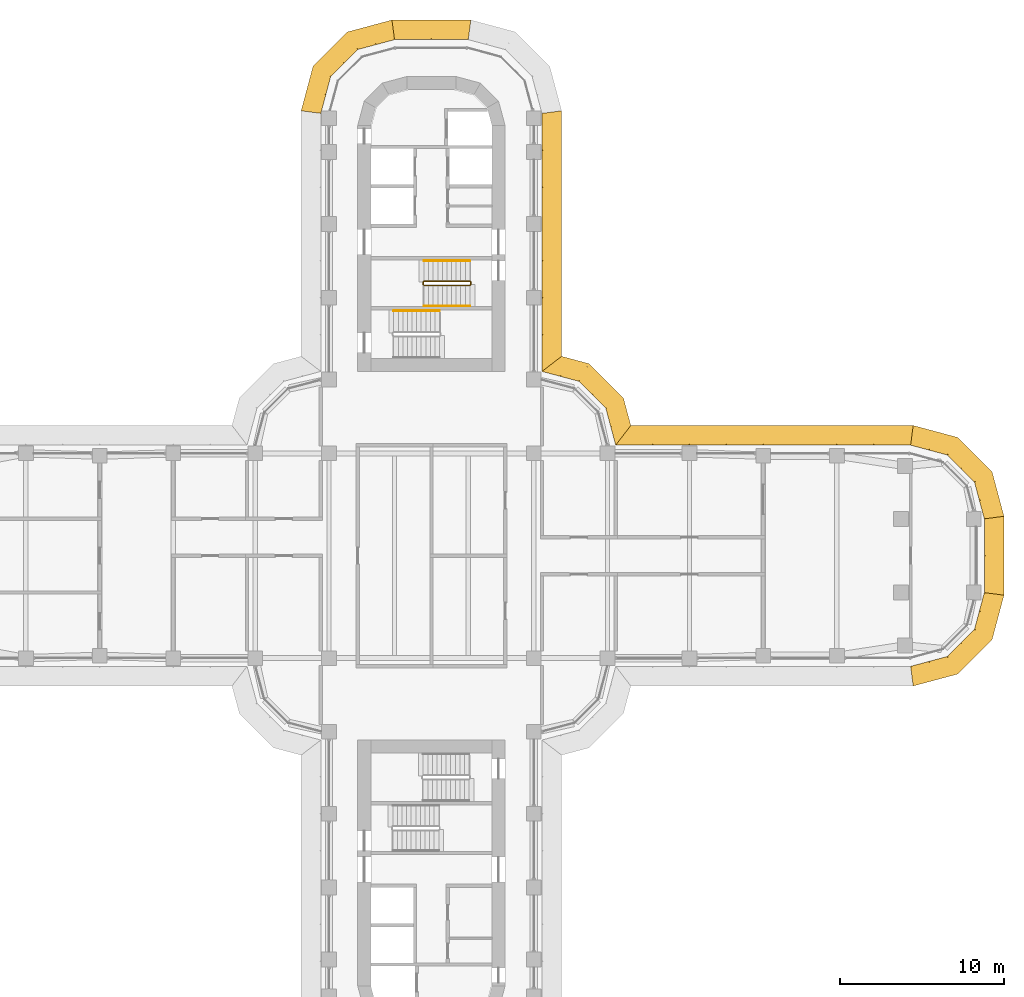
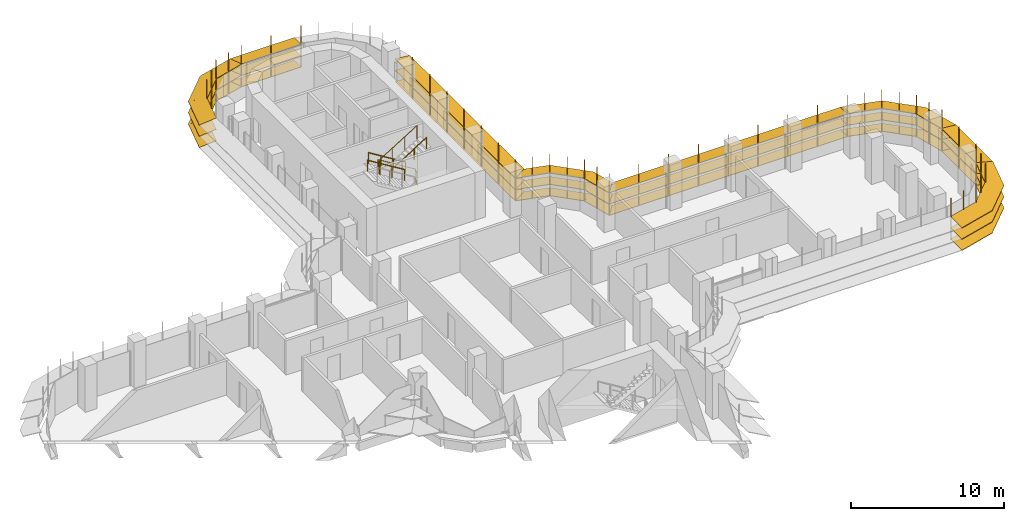
# One storey, part 21 of 22: 8 shading devices, 4 railings.
"""IFC4 building model written with IfcOpenShell, lengths in metres."""

import ifcopenshell
import ifcopenshell.guid

model = None  # the IFC model being written
_history = None  # IfcOwnerHistory: only IFC2X3 demands one
_inside = {}  # id of a spatial element -> (the spatial element, [elements in it])
_under = {}  # id of a project, library or spatial element -> (it, [spatial elements below it])
_declared = {}  # id of a project -> (the project, [libraries it declares])
_typed = {}  # id of a type object -> (the type object, [elements of that type])
_made_of = {}  # id of a material, layer set ... -> (it, [elements and type objects made of it])


def new_model(schema):
    """Start an empty IFC model of exactly this schema.

    Asked for "IFC4X3", IfcOpenShell would pick the latest addendum, in which some entities
    have other attributes; the version numbers below select the first issue.
    IFC2X3 requires an IfcOwnerHistory on every rooted entity: one is made here for all.
    """
    global model, _history
    if schema == "IFC4X3":
        model = ifcopenshell.file(schema_version=(4, 3, 0, 0))
    else:
        model = ifcopenshell.file(schema=schema)
    _inside.clear()
    _under.clear()
    _declared.clear()
    _typed.clear()
    _made_of.clear()
    _history = None
    if model.schema == "IFC2X3":
        org = make("IfcOrganization", Name="unknown")
        user = make(
            "IfcPersonAndOrganization",
            ThePerson=make("IfcPerson", FamilyName="unknown"),
            TheOrganization=org,
        )
        app = make(
            "IfcApplication",
            ApplicationDeveloper=org,
            Version="unknown",
            ApplicationFullName="unknown",
            ApplicationIdentifier="unknown",
        )
        _history = make(
            "IfcOwnerHistory",
            OwningUser=user,
            OwningApplication=app,
            ChangeAction="ADDED",
            CreationDate=0,
        )
    return model


def make(cls, **values):
    """One entity of the class cls with the attributes given. An attribute that is None is left unset."""
    return model.create_entity(
        cls, **{name: value for name, value in values.items() if value is not None}
    )


def rooted(cls, **values):
    """An entity with a GlobalId (a new one), such as an element, a storey or a relation."""
    return make(cls, GlobalId=ifcopenshell.guid.new(), OwnerHistory=_history, **values)


def si_unit(unit_type, name, prefix=None):
    """IfcSIUnit, for example si_unit("LENGTHUNIT", "METRE", prefix="MILLI")."""
    return make("IfcSIUnit", UnitType=unit_type, Prefix=prefix, Name=name)


def assignment(units):
    """IfcUnitAssignment: the units of a project."""
    return None if units is None else make("IfcUnitAssignment", Units=units)


def point(xyz):
    """IfcCartesianPoint."""
    return None if xyz is None else make("IfcCartesianPoint", Coordinates=xyz)


def direction(xyz):
    """IfcDirection."""
    return None if xyz is None else make("IfcDirection", DirectionRatios=xyz)


def frame(location, z_axis=None, x_axis=None):
    """IfcAxis2Placement3D, a coordinate frame: its origin and axes. An axis left out is left unset."""
    return make(
        "IfcAxis2Placement3D",
        Location=point(location),
        Axis=direction(z_axis),
        RefDirection=direction(x_axis),
    )


def frame_2d(location, x_axis=None):
    """IfcAxis2Placement2D, a coordinate frame in the plane: its origin and x axis."""
    return make(
        "IfcAxis2Placement2D", Location=point(location), RefDirection=direction(x_axis)
    )


def origin():
    """The frame at (0, 0, 0) with its axes left unset."""
    return frame((0.0, 0.0, 0.0))


def origin_2d():
    """The frame at (0, 0) in the plane with its x axis left unset."""
    return frame_2d((0.0, 0.0))


def place(relative_to, where):
    """IfcLocalPlacement: puts the frame where relative to a parent placement (None: the world)."""
    return make(
        "IfcLocalPlacement", PlacementRelTo=relative_to, RelativePlacement=where
    )


def context(
    kind, dimensions, precision=None, world=None, true_north=None, identifier=None
):
    """IfcGeometricRepresentationContext, for example the 3D "Model" context."""
    return make(
        "IfcGeometricRepresentationContext",
        ContextIdentifier=identifier,
        ContextType=kind,
        CoordinateSpaceDimension=dimensions,
        Precision=precision,
        WorldCoordinateSystem=world,
        TrueNorth=true_north,
    )


def subcontext(parent, identifier, kind, view, scale=None):
    """IfcGeometricRepresentationSubContext, for example "Body" below "Model"."""
    return make(
        "IfcGeometricRepresentationSubContext",
        ContextIdentifier=identifier,
        ContextType=kind,
        ParentContext=parent,
        TargetScale=scale,
        TargetView=view,
    )


def project(units=None, contexts=None):
    """IfcProject with its units and contexts."""
    return rooted(
        "IfcProject",
        Name="project",
        RepresentationContexts=contexts,
        UnitsInContext=assignment(units),
    )


def spatial(cls, under=None, at=None, **own):
    """A site, building, storey or space (cls), placed at a placement, below another one or the project."""
    s = rooted(cls, ObjectPlacement=at, **own)
    if under is not None:
        _under.setdefault(under.id(), (under, []))[1].append(s)
    return s


def polyline(points):
    """IfcPolyline through the points."""
    return make("IfcPolyline", Points=[point(p) for p in points])


def profile(cls, at=None, kind="AREA", **sizes):
    """A parametric profile (cls). Its sizes go by their IFC names, for example OverallWidth=200.0."""
    return make(cls, ProfileType=kind, Position=at, **sizes)


def circle(**sizes):
    """IfcCircleProfileDef."""
    return profile("IfcCircleProfileDef", **sizes)


def outline(outer, holes=None, kind="AREA"):
    """IfcArbitraryClosedProfileDef: a profile drawn as a closed curve; with holes, ...WithVoids."""
    if holes is None:
        return make("IfcArbitraryClosedProfileDef", ProfileType=kind, OuterCurve=outer)
    return make(
        "IfcArbitraryProfileDefWithVoids",
        ProfileType=kind,
        OuterCurve=outer,
        InnerCurves=holes,
    )


def extrude(swept, where, along, depth):
    """IfcExtrudedAreaSolid: the profile swept, set in the frame where, extruded along a direction by depth."""
    return make(
        "IfcExtrudedAreaSolid",
        SweptArea=swept,
        Position=where,
        ExtrudedDirection=direction(along),
        Depth=depth,
    )


def faces_of(points, faces, orient=None, outer=None):
    """IfcFace entities. A face is a list of loops; a loop is a list of indices into points, from 0.

    orient and outer hold one flag for each loop. By default every Orientation is true, the
    first loop of a face is its IfcFaceOuterBound and the others are IfcFaceBound.
    """
    made = []
    for i, loops in enumerate(faces):
        bounds = []
        for j, loop in enumerate(loops):
            is_outer = j == 0 if outer is None else outer[i][j]
            bounds.append(
                make(
                    "IfcFaceOuterBound" if is_outer else "IfcFaceBound",
                    Bound=make("IfcPolyLoop", Polygon=[points[k] for k in loop]),
                    Orientation=True if orient is None else orient[i][j],
                )
            )
        made.append(make("IfcFace", Bounds=bounds))
    return made


def faceted_brep(points, faces, orient=None, outer=None, voids=None):
    """IfcFacetedBrep: a solid bounded by flat faces; with voids (closed shells), ...WithVoids."""
    shared = [point(p) for p in points]
    hull = make("IfcClosedShell", CfsFaces=faces_of(shared, faces, orient, outer))
    if voids is None:
        return make("IfcFacetedBrep", Outer=hull)
    return make(
        "IfcFacetedBrepWithVoids",
        Outer=hull,
        Voids=[
            make(cls, CfsFaces=faces_of(shared, fs, o, b)) for cls, fs, o, b in voids
        ],
    )


def shape(context_of_items, identifier, shape_type, items):
    """IfcShapeRepresentation: the items that make up one representation, for example the "Body"."""
    return make(
        "IfcShapeRepresentation",
        ContextOfItems=context_of_items,
        RepresentationIdentifier=identifier,
        RepresentationType=shape_type,
        Items=items,
    )


def source(mapping_origin, context_of_items, identifier, shape_type, items):
    """IfcRepresentationMap: a shape defined once, which mapped items show again and again."""
    return make(
        "IfcRepresentationMap",
        MappingOrigin=mapping_origin,
        MappedRepresentation=shape(context_of_items, identifier, shape_type, items),
    )


def transform(
    local_origin,
    x_axis=None,
    y_axis=None,
    z_axis=None,
    scale=None,
    scale2=None,
    scale3=None,
    uniform=True,
):
    """IfcCartesianTransformationOperator3D, or its non-uniform kind. x_axis, y_axis, z_axis: its Axis1, 2, 3."""
    if uniform:
        return make(
            "IfcCartesianTransformationOperator3D",
            Axis1=direction(x_axis),
            Axis2=direction(y_axis),
            LocalOrigin=point(local_origin),
            Scale=scale,
            Axis3=direction(z_axis),
        )
    return make(
        "IfcCartesianTransformationOperator3DnonUniform",
        Axis1=direction(x_axis),
        Axis2=direction(y_axis),
        LocalOrigin=point(local_origin),
        Scale=scale,
        Axis3=direction(z_axis),
        Scale2=scale2,
        Scale3=scale3,
    )


def mapped(mapping_source, mapping_target):
    """IfcMappedItem: shows the shape of a source again, moved by a transform."""
    return make(
        "IfcMappedItem", MappingSource=mapping_source, MappingTarget=mapping_target
    )


def material(Name=None, Category=None):
    """IfcMaterial."""
    return make("IfcMaterial", Name=Name, Category=Category)


def made_of(thing, what):
    """Note that an element or type object is made of a material, layer set ...; save() writes the relation."""
    if what is not None:
        _made_of.setdefault(what.id(), (what, []))[1].append(thing)
    return thing


def type_object(cls, material=None, **own):
    """A type object (cls), such as IfcWallType, which elements share."""
    return made_of(rooted(cls, **own), material)


def element(
    cls,
    number,
    at=None,
    inside=None,
    cuts=None,
    type_object=None,
    material=None,
    context=None,
    identifier="Body",
    shape_type=None,
    held_by="IfcProductDefinitionShape",
    body=None,
    shapes=None,
    **own,
):
    """One element of the class cls, such as IfcWall. Its Tag is "e" and its number.

    at: its placement. inside: the storey or other place that contains it. cuts: it is an
    opening in that element (IfcRelVoidsElement). A single representation is given by context,
    identifier, shape_type and body (its items); several are given by shapes. held_by: the class
    of the entity that holds the representations. save() writes the other relations.
    """
    e = rooted(cls, Tag="e%d" % number, ObjectPlacement=at, **own)
    if body is not None:
        shapes = [shape(context, identifier, shape_type, body)]
    if shapes is not None:
        e.Representation = make(held_by, Representations=shapes)
    if inside is not None:
        _inside.setdefault(inside.id(), (inside, []))[1].append(e)
    if cuts is not None:
        rooted(
            "IfcRelVoidsElement", RelatingBuildingElement=cuts, RelatedOpeningElement=e
        )
    if type_object is not None:
        _typed.setdefault(type_object.id(), (type_object, []))[1].append(e)
    return made_of(e, material)


def aggregate(whole, parts):
    """IfcRelAggregates: a whole, such as a stair, and the parts it consists of."""
    return rooted("IfcRelAggregates", RelatingObject=whole, RelatedObjects=parts)


def save(model, path):
    """Write the relations noted so far, then the file.

    IfcRelAggregates (storeys below a building ...), IfcRelContainedInSpatialStructure (elements
    in a storey), IfcRelDefinesByType, IfcRelAssociatesMaterial and IfcRelDeclares: one each for
    every whole, place, type object, material and project.
    """
    for whole, parts in _under.values():
        aggregate(whole, parts)
    for where, things in _inside.values():
        rooted(
            "IfcRelContainedInSpatialStructure",
            RelatedElements=things,
            RelatingStructure=where,
        )
    for kind, things in _typed.values():
        rooted("IfcRelDefinesByType", RelatedObjects=things, RelatingType=kind)
    for what, things in _made_of.values():
        rooted("IfcRelAssociatesMaterial", RelatedObjects=things, RelatingMaterial=what)
    for by, libraries in _declared.values():
        rooted("IfcRelDeclares", RelatingContext=by, RelatedDefinitions=libraries)
    model.write(path)


model = new_model("IFC4")

# Units and contexts
model_context = context("Model", 3, precision=1e-05, world=origin(), true_north=direction((0.0, 1.0)))
body_context = subcontext(model_context, "Body", "Model", "MODEL_VIEW")
ifc_project = project(units=[si_unit("LENGTHUNIT", "METRE"), si_unit("AREAUNIT", "SQUARE_METRE"), si_unit("VOLUMEUNIT", "CUBIC_METRE"), si_unit("PLANEANGLEUNIT", "RADIAN"), si_unit("MASSUNIT", "GRAM", prefix="KILO")], contexts=[model_context])

# Site, building, storey
site_placement = place(None, origin())
site = spatial("IfcSite", under=ifc_project, at=site_placement, CompositionType="ELEMENT")
building_placement = place(site_placement, origin())
building = spatial("IfcBuilding", under=site, at=building_placement, Name="Zarbagh Exchange Tower", CompositionType="ELEMENT")
storey_placement = place(building_placement, frame((0.0, 0.0, 105.60009765625)))
storey = spatial("IfcBuildingStorey", under=building, at=storey_placement, Name="L24", CompositionType="ELEMENT", Elevation=105.60009765625)

# Railings
ifc_material_1 = material(Name="Stainless steel", Category="steel")
railing_type_1 = type_object("IfcRailingType", Name="Stair guard 1100 mm", PredefinedType="GUARDRAIL", material=ifc_material_1)
railing_1_placement = place(storey_placement, frame((-0.449951171875, 16.5, 2.072509765625)))
element("IfcRailing", 1, at=railing_1_placement, inside=storey, type_object=railing_type_1, Name="ST1 stair guard 1", PredefinedType="GUARDRAIL", context=body_context, shape_type="SweptSolid", body=[
    extrude(circle(Radius=0.02392578125, at=origin_2d()), frame((0.0, 0.0, 1.076171875), z_axis=(0.851089632645, 0.0, 0.525020415988), x_axis=(0.0, 1.0, 0.0)), (0.0, 0.0, 1.0), 3.2900390625),
    extrude(circle(Radius=0.02392578125, at=origin_2d()), frame((2.800048828125, 0.0, 2.80322265625), z_axis=(0.013104908129, 0.013169147875, -0.999827402569), x_axis=(-0.708833529934, 0.705375805398, 0.0)), (0.0, 0.0, 1.0), 3.800537109375),
    extrude(circle(Radius=0.02392578125, at=origin_2d()), frame((2.849853515625, 0.050048828125, -0.99658203125), z_axis=(0.0, 1.0, 0.0), x_axis=(-1.0, 0.0, 0.0)), (0.0, 0.0, 1.0), 0.14990234375),
    extrude(circle(Radius=0.02392578125, at=origin_2d()), frame((2.849853515625, 0.199951171875, -0.99658203125), z_axis=(-0.267062837333, 0.268371968888, 0.925556009775), x_axis=(-0.708833529934, -0.705375805398, 0.0)), (0.0, 0.0, 1.0), 0.1865234375),
    extrude(circle(Radius=0.02392578125, at=origin_2d()), frame((2.800048828125, 0.25, -0.82373046875), z_axis=(-0.851089632645, 0.0, 0.525020415988), x_axis=(0.0, -1.0, 0.0)), (0.0, 0.0, 1.0), 3.2900390625),
    extrude(circle(Radius=0.02392578125, at=origin_2d()), frame((0.0, 0.25, 0.9033203125), z_axis=(-0.707106781187, -0.707106781187, 0.0), x_axis=(0.707106781187, -0.707106781187, 0.0)), (0.0, 0.0, 1.0), 0.07080078125),
    extrude(circle(Radius=0.02392578125, at=origin_2d()), frame((-0.050048828125, 0.199951171875, 0.9033203125), z_axis=(0.0, -1.0, 0.0), x_axis=(1.0, 0.0, 0.0)), (0.0, 0.0, 1.0), 0.14990234375),
    extrude(circle(Radius=0.02099609375, at=origin_2d()), origin(), (0.0, 0.0, 1.0), 1.052001953125),
    extrude(circle(Radius=0.02099609375, at=origin_2d()), frame((0.933349609375, 0.0, 0.57568359375)), (0.0, 0.0, 1.0), 1.052001953125),
    extrude(circle(Radius=0.02099609375, at=origin_2d()), frame((1.86669921875, 0.0, 1.151611328125)), (0.0, 0.0, 1.0), 1.052001953125),
    extrude(circle(Radius=0.02099609375, at=origin_2d()), frame((2.800048828125, 0.0, 1.727294921875)), (0.0, 0.0, 1.0), 1.052001953125),
    extrude(circle(Radius=0.02099609375, at=origin_2d()), frame((2.8125, 0.012451171875, 0.77734375)), (0.0, 0.0, 1.0), 1.052001953125),
    extrude(circle(Radius=0.02099609375, at=origin_2d()), frame((2.824951171875, 0.02490234375, -0.172607421875)), (0.0, 0.0, 1.0), 1.052001953125),
    extrude(circle(Radius=0.02099609375, at=origin_2d()), frame((2.83740234375, 0.03759765625, -1.12255859375)), (0.0, 0.0, 1.0), 1.052001953125),
    extrude(circle(Radius=0.02099609375, at=origin_2d()), frame((2.849853515625, 0.050048828125, -2.072509765625)), (0.0, 0.0, 1.0), 1.052001953125),
    extrude(circle(Radius=0.02099609375, at=origin_2d()), frame((2.849853515625, 0.199951171875, -2.072509765625)), (0.0, 0.0, 1.0), 1.052001953125),
    extrude(circle(Radius=0.02099609375, at=origin_2d()), frame((2.800048828125, 0.25, -1.89990234375)), (0.0, 0.0, 1.0), 1.052001953125),
    extrude(circle(Radius=0.02099609375, at=origin_2d()), frame((1.86669921875, 0.25, -1.32421875)), (0.0, 0.0, 1.0), 1.052001953125),
    extrude(circle(Radius=0.02099609375, at=origin_2d()), frame((0.933349609375, 0.25, -0.748291015625)), (0.0, 0.0, 1.0), 1.052001953125),
    extrude(circle(Radius=0.02099609375, at=origin_2d()), frame((0.0, 0.25, -0.172607421875)), (0.0, 0.0, 1.0), 1.052001953125),
    extrude(circle(Radius=0.02099609375, at=origin_2d()), frame((-0.050048828125, 0.199951171875, -0.172607421875)), (0.0, 0.0, 1.0), 1.052001953125),
    extrude(circle(Radius=0.02099609375, at=origin_2d()), frame((-0.050048828125, 0.050048828125, -0.172607421875)), (0.0, 0.0, 1.0), 1.052001953125),
])
railing_type_2 = type_object("IfcRailingType", Name="Stair handrail 900 mm", PredefinedType="HANDRAIL", material=ifc_material_1)
railing_2_placement = place(storey_placement, frame((2.35009765625, 18.0, 0.172607421875)))
element("IfcRailing", 2, at=railing_2_placement, inside=storey, type_object=railing_type_2, Name="ST1 stair handrail 1", PredefinedType="HANDRAIL", context=body_context, shape_type="SweptSolid", body=[
    extrude(circle(Radius=0.02392578125, at=origin_2d()), frame((0.0, 0.0, 0.8759765625), z_axis=(-0.851089632645, 0.0, 0.525020415988), x_axis=(0.0, -1.0, 0.0)), (0.0, 0.0, 1.0), 3.2900390625),
    extrude(circle(Radius=0.02099609375, at=origin_2d()), origin(), (0.0, 0.0, 1.0), 0.851806640625),
    extrude(circle(Radius=0.02099609375, at=origin_2d()), frame((-0.933349609375, 0.0, 0.57568359375)), (0.0, 0.0, 1.0), 0.851806640625),
    extrude(circle(Radius=0.02099609375, at=origin_2d()), frame((-1.86669921875, 0.0, 1.151611328125)), (0.0, 0.0, 1.0), 0.851806640625),
    extrude(circle(Radius=0.02099609375, at=origin_2d()), frame((-2.800048828125, 0.0, 1.727294921875)), (0.0, 0.0, 1.0), 0.851806640625),
])
railing_3_placement = place(storey_placement, frame((-0.449951171875, 15.25, 2.072509765625)))
element("IfcRailing", 3, at=railing_3_placement, inside=storey, type_object=railing_type_2, Name="ST1 stair handrail 2", PredefinedType="HANDRAIL", context=body_context, shape_type="SweptSolid", body=[
    extrude(circle(Radius=0.02392578125, at=origin_2d()), frame((0.0, 0.0, 0.8759765625), z_axis=(0.851089632645, 0.0, 0.525020415988), x_axis=(0.0, 1.0, 0.0)), (0.0, 0.0, 1.0), 3.2900390625),
    extrude(circle(Radius=0.02099609375, at=origin_2d()), origin(), (0.0, 0.0, 1.0), 0.851806640625),
    extrude(circle(Radius=0.02099609375, at=origin_2d()), frame((0.933349609375, 0.0, 0.57568359375)), (0.0, 0.0, 1.0), 0.851806640625),
    extrude(circle(Radius=0.02099609375, at=origin_2d()), frame((1.86669921875, 0.0, 1.151611328125)), (0.0, 0.0, 1.0), 0.851806640625),
    extrude(circle(Radius=0.02099609375, at=origin_2d()), frame((2.800048828125, 0.0, 1.727294921875)), (0.0, 0.0, 1.0), 0.851806640625),
])
railing_4_placement = place(storey_placement, frame((0.5, 14.949951171875, 2.072509765625)))
element("IfcRailing", 4, at=railing_4_placement, inside=storey, type_object=railing_type_2, Name="ST2 stair handrail 2", PredefinedType="HANDRAIL", context=body_context, shape_type="SweptSolid", body=[
    extrude(circle(Radius=0.02392578125, at=origin_2d()), frame((0.0, 0.0, 0.8759765625), z_axis=(-0.851089632645, 0.0, 0.525020415988), x_axis=(0.0, -1.0, 0.0)), (0.0, 0.0, 1.0), 3.2900390625),
    extrude(circle(Radius=0.02099609375, at=origin_2d()), origin(), (0.0, 0.0, 1.0), 0.851806640625),
    extrude(circle(Radius=0.02099609375, at=origin_2d()), frame((-0.933349609375, 0.0, 0.57568359375)), (0.0, 0.0, 1.0), 0.851806640625),
    extrude(circle(Radius=0.02099609375, at=origin_2d()), frame((-1.86669921875, 0.0, 1.151611328125)), (0.0, 0.0, 1.0), 0.851806640625),
    extrude(circle(Radius=0.02099609375, at=origin_2d()), frame((-2.800048828125, 0.0, 1.727294921875)), (0.0, 0.0, 1.0), 0.851806640625),
])

# Shading devices
ifc_material_2 = material(Name="Anodised aluminium blades and brackets", Category="aluminium")
shading_device_type = type_object("IfcShadingDeviceType", Name="SUNSHADE louvre band, 11.25 degree blades", PredefinedType="JALOUSIE", material=ifc_material_2)
shared_shape_1 = source(origin(), body_context, "Body", "Brep", [
    faceted_brep([(0.0, 0.0, 0.0), (0.0, 0.0, -0.040771484375), (-0.157958984375, -1.199951171875, -0.279541015625), (-0.157958984375, -1.199951171875, -0.23876953125), (2.65087890625, -1.199951171875, -0.23876953125), (2.65087890625, -1.199951171875, -0.279541015625), (2.329345703125, 0.0, -0.040771484375), (2.329345703125, 0.0, 0.0)], [[[0, 1, 2, 3]], [[4, 5, 6, 7]], [[0, 7, 6, 1]], [[1, 6, 5, 2]], [[2, 5, 4, 3]], [[3, 4, 7, 0]]]),
])
shared_shape_2 = source(origin(), body_context, "Body", "Brep", [
    faceted_brep([(0.0, 0.0, 0.0), (0.0, 0.0, -0.040771484375), (-0.321533203125, -1.199951171875, -0.279541015625), (-0.321533203125, -1.199951171875, -0.23876953125), (2.65087890625, -1.199951171875, -0.23876953125), (2.65087890625, -1.199951171875, -0.279541015625), (2.329345703125, 0.0, -0.040771484375), (2.329345703125, 0.0, 0.0)], [[[0, 1, 2, 3]], [[4, 5, 6, 7]], [[0, 7, 6, 1]], [[1, 6, 5, 2]], [[2, 5, 4, 3]], [[3, 4, 7, 0]]]),
])
shared_shape_3 = source(origin(), body_context, "Body", "Brep", [
    faceted_brep([(0.0, 0.0, 0.0), (0.0, 0.0, -0.040771484375), (-0.321533203125, -1.199951171875, -0.279541015625), (-0.321533203125, -1.199951171875, -0.23876953125), (2.4873046875, -1.199951171875, -0.23876953125), (2.4873046875, -1.199951171875, -0.279541015625), (2.329345703125, 0.0, -0.040771484375), (2.329345703125, 0.0, 0.0)], [[[0, 1, 2, 3]], [[4, 5, 6, 7]], [[0, 7, 6, 1]], [[1, 6, 5, 2]], [[2, 5, 4, 3]], [[3, 4, 7, 0]]]),
])
shared_shape_4 = source(origin(), body_context, "Body", "SweptSolid", [
    extrude(outline(polyline([(0.0, -0.012451171875), (0.06005859375, -0.012451171875), (0.06005859375, 0.012451171875), (0.0, 0.012451171875), (0.0, -0.012451171875)])), origin(), (0.0, 0.0, 1.0), 3.350830078125),
])
placement = place(storey_placement, origin())
element("IfcShadingDevice", 5, at=placement, inside=storey, type_object=shading_device_type, Name="SS05 sunshade band", PredefinedType="JALOUSIE", context=body_context, shape_type="MappedRepresentation", body=[
    mapped(shared_shape_1, transform((29.25, -6.75, 2.2998046875), x_axis=(0.965924289636, 0.258824779902, 0.0), y_axis=(-0.258824779902, 0.965924289636, 0.0), z_axis=(0.0, 0.0, 1.0))),
    mapped(shared_shape_1, transform((29.25, -6.75, 1.39990234375), x_axis=(0.965924289636, 0.258824779902, 0.0), y_axis=(-0.258824779902, 0.965924289636, 0.0), z_axis=(0.0, 0.0, 1.0))),
    mapped(shared_shape_1, transform((29.25, -6.75, 0.5), x_axis=(0.965924289636, 0.258824779902, 0.0), y_axis=(-0.258824779902, 0.965924289636, 0.0), z_axis=(0.0, 0.0, 1.0))),
    mapped(shared_shape_2, transform((31.5, -6.147216796875, 2.2998046875), x_axis=(0.707106781187, 0.707106781187, 0.0), y_axis=(-0.707106781187, 0.707106781187, 0.0), z_axis=(0.0, 0.0, 1.0))),
    mapped(shared_shape_2, transform((31.5, -6.147216796875, 1.39990234375), x_axis=(0.707106781187, 0.707106781187, 0.0), y_axis=(-0.707106781187, 0.707106781187, 0.0), z_axis=(0.0, 0.0, 1.0))),
    mapped(shared_shape_2, transform((31.5, -6.147216796875, 0.5), x_axis=(0.707106781187, 0.707106781187, 0.0), y_axis=(-0.707106781187, 0.707106781187, 0.0), z_axis=(0.0, 0.0, 1.0))),
    mapped(shared_shape_3, transform((33.147216796875, -4.5, 2.2998046875), x_axis=(0.258824779902, 0.965924289636, 0.0), y_axis=(-0.965924289636, 0.258824779902, 0.0), z_axis=(0.0, 0.0, 1.0))),
    mapped(shared_shape_3, transform((33.147216796875, -4.5, 1.39990234375), x_axis=(0.258824779902, 0.965924289636, 0.0), y_axis=(-0.965924289636, 0.258824779902, 0.0), z_axis=(0.0, 0.0, 1.0))),
    mapped(shared_shape_3, transform((33.147216796875, -4.5, 0.5), x_axis=(0.258824779902, 0.965924289636, 0.0), y_axis=(-0.965924289636, 0.258824779902, 0.0), z_axis=(0.0, 0.0, 1.0))),
    mapped(shared_shape_4, transform((29.25, -6.75, 0.42919921875), x_axis=(0.130529263012, -0.991444457092, 0.0), y_axis=(0.991444457092, 0.130529263012, 0.0), z_axis=(0.0, 0.0, 1.0))),
    mapped(shared_shape_4, transform((30.375, -6.448486328125, 0.42919921875), x_axis=(0.258825058029, -0.96592421511, 0.0), y_axis=(0.96592421511, 0.258825058029, 0.0), z_axis=(0.0, 0.0, 1.0))),
    mapped(shared_shape_4, transform((31.5, -6.147216796875, 0.42919921875), x_axis=(0.50000275701, -0.866023812018, 0.0), y_axis=(0.866023812018, 0.50000275701, 0.0), z_axis=(0.0, 0.0, 1.0))),
    mapped(shared_shape_4, transform((32.323486328125, -5.323486328125, 0.42919921875), x_axis=(0.707106781187, -0.707106781187, 0.0), y_axis=(0.707106781187, 0.707106781187, 0.0), z_axis=(0.0, 0.0, 1.0))),
    mapped(shared_shape_4, transform((33.147216796875, -4.5, 0.42919921875), x_axis=(0.866023812018, -0.50000275701, 0.0), y_axis=(0.50000275701, 0.866023812018, 0.0), z_axis=(0.0, 0.0, 1.0))),
    mapped(shared_shape_4, transform((33.448486328125, -3.375, 0.42919921875), x_axis=(0.96592421511, -0.258825058029, 0.0), y_axis=(0.258825058029, 0.96592421511, 0.0), z_axis=(0.0, 0.0, 1.0))),
])
element("IfcShadingDevice", 6, at=placement, inside=storey, type_object=shading_device_type, Name="SS07 sunshade band", PredefinedType="JALOUSIE", context=body_context, shape_type="MappedRepresentation", body=[
    mapped(shared_shape_1, transform((33.75, 2.25, 2.2998046875), x_axis=(-0.258824779902, 0.965924289636, 0.0), y_axis=(-0.965924289636, -0.258824779902, 0.0), z_axis=(0.0, 0.0, 1.0))),
    mapped(shared_shape_1, transform((33.75, 2.25, 1.39990234375), x_axis=(-0.258824779902, 0.965924289636, 0.0), y_axis=(-0.965924289636, -0.258824779902, 0.0), z_axis=(0.0, 0.0, 1.0))),
    mapped(shared_shape_1, transform((33.75, 2.25, 0.5), x_axis=(-0.258824779902, 0.965924289636, 0.0), y_axis=(-0.965924289636, -0.258824779902, 0.0), z_axis=(0.0, 0.0, 1.0))),
    mapped(shared_shape_2, transform((33.147216796875, 4.5, 2.2998046875), x_axis=(-0.707106781187, 0.707106781187, 0.0), y_axis=(-0.707106781187, -0.707106781187, 0.0), z_axis=(0.0, 0.0, 1.0))),
    mapped(shared_shape_2, transform((33.147216796875, 4.5, 1.39990234375), x_axis=(-0.707106781187, 0.707106781187, 0.0), y_axis=(-0.707106781187, -0.707106781187, 0.0), z_axis=(0.0, 0.0, 1.0))),
    mapped(shared_shape_2, transform((33.147216796875, 4.5, 0.5), x_axis=(-0.707106781187, 0.707106781187, 0.0), y_axis=(-0.707106781187, -0.707106781187, 0.0), z_axis=(0.0, 0.0, 1.0))),
    mapped(shared_shape_3, transform((31.5, 6.147216796875, 2.2998046875), x_axis=(-0.965924289636, 0.258824779902, 0.0), y_axis=(-0.258824779902, -0.965924289636, 0.0), z_axis=(0.0, 0.0, 1.0))),
    mapped(shared_shape_3, transform((31.5, 6.147216796875, 1.39990234375), x_axis=(-0.965924289636, 0.258824779902, 0.0), y_axis=(-0.258824779902, -0.965924289636, 0.0), z_axis=(0.0, 0.0, 1.0))),
    mapped(shared_shape_3, transform((31.5, 6.147216796875, 0.5), x_axis=(-0.965924289636, 0.258824779902, 0.0), y_axis=(-0.258824779902, -0.965924289636, 0.0), z_axis=(0.0, 0.0, 1.0))),
    mapped(shared_shape_4, transform((33.75, 2.25, 0.42919921875), x_axis=(0.991444457092, 0.130529263012, 0.0), y_axis=(-0.130529263012, 0.991444457092, 0.0), z_axis=(0.0, 0.0, 1.0))),
    mapped(shared_shape_4, transform((33.448486328125, 3.375, 0.42919921875), x_axis=(0.96592421511, 0.258825058029, 0.0), y_axis=(-0.258825058029, 0.96592421511, 0.0), z_axis=(0.0, 0.0, 1.0))),
    mapped(shared_shape_4, transform((33.147216796875, 4.5, 0.42919921875), x_axis=(0.866023812018, 0.50000275701, 0.0), y_axis=(-0.50000275701, 0.866023812018, 0.0), z_axis=(0.0, 0.0, 1.0))),
    mapped(shared_shape_4, transform((32.323486328125, 5.323486328125, 0.42919921875), x_axis=(0.707106781187, 0.707106781187, 0.0), y_axis=(-0.707106781187, 0.707106781187, 0.0), z_axis=(0.0, 0.0, 1.0))),
    mapped(shared_shape_4, transform((31.5, 6.147216796875, 0.42919921875), x_axis=(0.50000275701, 0.866023812018, 0.0), y_axis=(-0.866023812018, 0.50000275701, 0.0), z_axis=(0.0, 0.0, 1.0))),
    mapped(shared_shape_4, transform((30.375, 6.448486328125, 0.42919921875), x_axis=(0.258825058029, 0.96592421511, 0.0), y_axis=(-0.96592421511, 0.258825058029, 0.0), z_axis=(0.0, 0.0, 1.0))),
])
element("IfcShadingDevice", 7, at=placement, inside=storey, type_object=shading_device_type, Name="SS28 sunshade band", PredefinedType="JALOUSIE", context=body_context, shape_type="MappedRepresentation", body=[
    mapped(shared_shape_1, transform((-2.25, 31.5, 2.2998046875), x_axis=(-0.965924289636, -0.258824779902, 0.0), y_axis=(0.258824779902, -0.965924289636, 0.0), z_axis=(0.0, 0.0, 1.0))),
    mapped(shared_shape_1, transform((-2.25, 31.5, 1.39990234375), x_axis=(-0.965924289636, -0.258824779902, 0.0), y_axis=(0.258824779902, -0.965924289636, 0.0), z_axis=(0.0, 0.0, 1.0))),
    mapped(shared_shape_1, transform((-2.25, 31.5, 0.5), x_axis=(-0.965924289636, -0.258824779902, 0.0), y_axis=(0.258824779902, -0.965924289636, 0.0), z_axis=(0.0, 0.0, 1.0))),
    mapped(shared_shape_2, transform((-4.5, 30.897216796875, 2.2998046875), x_axis=(-0.707106781187, -0.707106781187, 0.0), y_axis=(0.707106781187, -0.707106781187, 0.0), z_axis=(0.0, 0.0, 1.0))),
    mapped(shared_shape_2, transform((-4.5, 30.897216796875, 1.39990234375), x_axis=(-0.707106781187, -0.707106781187, 0.0), y_axis=(0.707106781187, -0.707106781187, 0.0), z_axis=(0.0, 0.0, 1.0))),
    mapped(shared_shape_2, transform((-4.5, 30.897216796875, 0.5), x_axis=(-0.707106781187, -0.707106781187, 0.0), y_axis=(0.707106781187, -0.707106781187, 0.0), z_axis=(0.0, 0.0, 1.0))),
    mapped(shared_shape_3, transform((-6.147216796875, 29.25, 2.2998046875), x_axis=(-0.258824779902, -0.965924289636, 0.0), y_axis=(0.965924289636, -0.258824779902, 0.0), z_axis=(0.0, 0.0, 1.0))),
    mapped(shared_shape_3, transform((-6.147216796875, 29.25, 1.39990234375), x_axis=(-0.258824779902, -0.965924289636, 0.0), y_axis=(0.965924289636, -0.258824779902, 0.0), z_axis=(0.0, 0.0, 1.0))),
    mapped(shared_shape_3, transform((-6.147216796875, 29.25, 0.5), x_axis=(-0.258824779902, -0.965924289636, 0.0), y_axis=(0.965924289636, -0.258824779902, 0.0), z_axis=(0.0, 0.0, 1.0))),
    mapped(shared_shape_4, transform((-2.25, 31.5, 0.42919921875), x_axis=(-0.130529263012, 0.991444457092, 0.0), y_axis=(-0.991444457092, -0.130529263012, 0.0), z_axis=(0.0, 0.0, 1.0))),
    mapped(shared_shape_4, transform((-3.375, 31.198486328125, 0.42919921875), x_axis=(-0.258825058029, 0.96592421511, 0.0), y_axis=(-0.96592421511, -0.258825058029, 0.0), z_axis=(0.0, 0.0, 1.0))),
    mapped(shared_shape_4, transform((-4.5, 30.897216796875, 0.42919921875), x_axis=(-0.50000275701, 0.866023812018, 0.0), y_axis=(-0.866023812018, -0.50000275701, 0.0), z_axis=(0.0, 0.0, 1.0))),
    mapped(shared_shape_4, transform((-5.323486328125, 30.073486328125, 0.42919921875), x_axis=(-0.707106781187, 0.707106781187, 0.0), y_axis=(-0.707106781187, -0.707106781187, 0.0), z_axis=(0.0, 0.0, 1.0))),
    mapped(shared_shape_4, transform((-6.147216796875, 29.25, 0.42919921875), x_axis=(-0.866023812018, 0.50000275701, 0.0), y_axis=(-0.50000275701, -0.866023812018, 0.0), z_axis=(0.0, 0.0, 1.0))),
    mapped(shared_shape_4, transform((-6.448486328125, 28.125, 0.42919921875), x_axis=(-0.96592421511, 0.258825058029, 0.0), y_axis=(-0.258825058029, -0.96592421511, 0.0), z_axis=(0.0, 0.0, 1.0))),
])
shared_shape_5 = source(origin(), body_context, "Body", "Brep", [
    faceted_brep([(0.0, 0.0, 0.0), (0.0, 0.0, -0.040771484375), (0.9208984375, -1.199951171875, -0.279541015625), (0.9208984375, -1.199951171875, -0.23876953125), (2.65087890625, -1.199951171875, -0.23876953125), (2.65087890625, -1.199951171875, -0.279541015625), (2.329345703125, 0.0, -0.040771484375), (2.329345703125, 0.0, 0.0)], [[[0, 1, 2, 3]], [[4, 5, 6, 7]], [[0, 7, 6, 1]], [[1, 6, 5, 2]], [[2, 5, 4, 3]], [[3, 4, 7, 0]]]),
])
shared_shape_6 = source(origin(), body_context, "Body", "Brep", [
    faceted_brep([(0.0, 0.0, 0.0), (0.0, 0.0, -0.040771484375), (-0.321533203125, -1.199951171875, -0.279541015625), (-0.321533203125, -1.199951171875, -0.23876953125), (1.40869140625, -1.199951171875, -0.23876953125), (1.40869140625, -1.199951171875, -0.279541015625), (2.329345703125, 0.0, -0.040771484375), (2.329345703125, 0.0, 0.0)], [[[0, 1, 2, 3]], [[4, 5, 6, 7]], [[0, 7, 6, 1]], [[1, 6, 5, 2]], [[2, 5, 4, 3]], [[3, 4, 7, 0]]]),
])
element("IfcShadingDevice", 8, at=placement, inside=storey, type_object=shading_device_type, Name="SS09 sunshade band", PredefinedType="JALOUSIE", context=body_context, shape_type="MappedRepresentation", body=[
    mapped(shared_shape_5, transform((11.25, 6.75, 2.2998046875), x_axis=(-0.258824779902, 0.965924289636, 0.0), y_axis=(-0.965924289636, -0.258824779902, 0.0), z_axis=(0.0, 0.0, 1.0))),
    mapped(shared_shape_5, transform((11.25, 6.75, 1.39990234375), x_axis=(-0.258824779902, 0.965924289636, 0.0), y_axis=(-0.965924289636, -0.258824779902, 0.0), z_axis=(0.0, 0.0, 1.0))),
    mapped(shared_shape_5, transform((11.25, 6.75, 0.5), x_axis=(-0.258824779902, 0.965924289636, 0.0), y_axis=(-0.965924289636, -0.258824779902, 0.0), z_axis=(0.0, 0.0, 1.0))),
    mapped(shared_shape_2, transform((10.647216796875, 9.0, 2.2998046875), x_axis=(-0.707106781187, 0.707106781187, 0.0), y_axis=(-0.707106781187, -0.707106781187, 0.0), z_axis=(0.0, 0.0, 1.0))),
    mapped(shared_shape_2, transform((10.647216796875, 9.0, 1.39990234375), x_axis=(-0.707106781187, 0.707106781187, 0.0), y_axis=(-0.707106781187, -0.707106781187, 0.0), z_axis=(0.0, 0.0, 1.0))),
    mapped(shared_shape_2, transform((10.647216796875, 9.0, 0.5), x_axis=(-0.707106781187, 0.707106781187, 0.0), y_axis=(-0.707106781187, -0.707106781187, 0.0), z_axis=(0.0, 0.0, 1.0))),
    mapped(shared_shape_6, transform((9.0, 10.647216796875, 2.2998046875), x_axis=(-0.965924289636, 0.258824779902, 0.0), y_axis=(-0.258824779902, -0.965924289636, 0.0), z_axis=(0.0, 0.0, 1.0))),
    mapped(shared_shape_6, transform((9.0, 10.647216796875, 1.39990234375), x_axis=(-0.965924289636, 0.258824779902, 0.0), y_axis=(-0.258824779902, -0.965924289636, 0.0), z_axis=(0.0, 0.0, 1.0))),
    mapped(shared_shape_6, transform((9.0, 10.647216796875, 0.5), x_axis=(-0.965924289636, 0.258824779902, 0.0), y_axis=(-0.258824779902, -0.965924289636, 0.0), z_axis=(0.0, 0.0, 1.0))),
    mapped(shared_shape_4, transform((11.25, 6.75, 0.42919921875), x_axis=(0.608758892, 0.793355287, 0.0), y_axis=(-0.793355287, 0.608758892, 0.0), z_axis=(0.0, 0.0, 1.0))),
    mapped(shared_shape_4, transform((10.948486328125, 7.875, 0.42919921875), x_axis=(0.96592421511, 0.258825058029, 0.0), y_axis=(-0.258825058029, 0.96592421511, 0.0), z_axis=(0.0, 0.0, 1.0))),
    mapped(shared_shape_4, transform((10.647216796875, 9.0, 0.42919921875), x_axis=(0.866023812018, 0.50000275701, 0.0), y_axis=(-0.50000275701, 0.866023812018, 0.0), z_axis=(0.0, 0.0, 1.0))),
    mapped(shared_shape_4, transform((9.823486328125, 9.823486328125, 0.42919921875), x_axis=(0.707106781187, 0.707106781187, 0.0), y_axis=(-0.707106781187, 0.707106781187, 0.0), z_axis=(0.0, 0.0, 1.0))),
    mapped(shared_shape_4, transform((9.0, 10.647216796875, 0.42919921875), x_axis=(0.50000275701, 0.866023812018, 0.0), y_axis=(-0.866023812018, 0.50000275701, 0.0), z_axis=(0.0, 0.0, 1.0))),
    mapped(shared_shape_4, transform((7.875, 10.948486328125, 0.42919921875), x_axis=(0.258825058029, 0.96592421511, 0.0), y_axis=(-0.96592421511, 0.258825058029, 0.0), z_axis=(0.0, 0.0, 1.0))),
])
shared_shape_7 = source(origin(), body_context, "Body", "Brep", [
    faceted_brep([(0.0, 0.0, 0.0), (0.0, 0.0, -0.040771484375), (-0.157958984375, -1.199951171875, -0.279541015625), (-0.157958984375, -1.199951171875, -0.23876953125), (4.657958984375, -1.199951171875, -0.23876953125), (4.657958984375, -1.199951171875, -0.279541015625), (4.5, 0.0, -0.040771484375), (4.5, 0.0, 0.0)], [[[0, 1, 2, 3]], [[4, 5, 6, 7]], [[0, 7, 6, 1]], [[1, 6, 5, 2]], [[2, 5, 4, 3]], [[3, 4, 7, 0]]]),
])
element("IfcShadingDevice", 9, at=placement, inside=storey, type_object=shading_device_type, Name="SS06 sunshade band", PredefinedType="JALOUSIE", context=body_context, shape_type="MappedRepresentation", body=[
    mapped(shared_shape_7, transform((33.75, -2.25, 2.2998046875), x_axis=(0.0, 1.0, 0.0), y_axis=(-1.0, 0.0, 0.0), z_axis=(0.0, 0.0, 1.0))),
    mapped(shared_shape_7, transform((33.75, -2.25, 1.39990234375), x_axis=(0.0, 1.0, 0.0), y_axis=(-1.0, 0.0, 0.0), z_axis=(0.0, 0.0, 1.0))),
    mapped(shared_shape_7, transform((33.75, -2.25, 0.5), x_axis=(0.0, 1.0, 0.0), y_axis=(-1.0, 0.0, 0.0), z_axis=(0.0, 0.0, 1.0))),
    mapped(shared_shape_4, transform((33.75, -2.25, 0.42919921875), x_axis=(0.991444457092, -0.130529263012, 0.0), y_axis=(0.130529263012, 0.991444457092, 0.0), z_axis=(0.0, 0.0, 1.0))),
    mapped(shared_shape_4, transform((33.75, 0.0, 0.42919921875), x_axis=(1.0, 0.0, 0.0), y_axis=(0.0, 1.0, 0.0), z_axis=(0.0, 0.0, 1.0))),
])
shared_shape_8 = source(origin(), body_context, "Body", "Brep", [
    faceted_brep([(0.0, 0.0, 0.0), (0.0, 0.0, -0.040771484375), (-0.157958984375, -1.199951171875, -0.279541015625), (-0.157958984375, -1.199951171875, -0.23876953125), (17.0791015625, -1.199951171875, -0.23876953125), (17.0791015625, -1.199951171875, -0.279541015625), (18.0, 0.0, -0.040771484375), (18.0, 0.0, 0.0)], [[[0, 1, 2, 3]], [[4, 5, 6, 7]], [[0, 7, 6, 1]], [[1, 6, 5, 2]], [[2, 5, 4, 3]], [[3, 4, 7, 0]]]),
])
element("IfcShadingDevice", 10, at=placement, inside=storey, type_object=shading_device_type, Name="SS08 sunshade band", PredefinedType="JALOUSIE", context=body_context, shape_type="MappedRepresentation", body=[
    mapped(shared_shape_8, transform((29.25, 6.75, 2.2998046875), x_axis=(-1.0, 0.0, 0.0), y_axis=(0.0, -1.0, 0.0), z_axis=(0.0, 0.0, 1.0))),
    mapped(shared_shape_8, transform((29.25, 6.75, 1.39990234375), x_axis=(-1.0, 0.0, 0.0), y_axis=(0.0, -1.0, 0.0), z_axis=(0.0, 0.0, 1.0))),
    mapped(shared_shape_8, transform((29.25, 6.75, 0.5), x_axis=(-1.0, 0.0, 0.0), y_axis=(0.0, -1.0, 0.0), z_axis=(0.0, 0.0, 1.0))),
    mapped(shared_shape_4, transform((29.25, 6.75, 0.42919921875), x_axis=(0.130529263012, 0.991444457092, 0.0), y_axis=(-0.991444457092, 0.130529263012, 0.0), z_axis=(0.0, 0.0, 1.0))),
    mapped(shared_shape_4, transform((27.0, 6.75, 0.42919921875), x_axis=(0.0, 1.0, 0.0), y_axis=(-1.0, 0.0, 0.0), z_axis=(0.0, 0.0, 1.0))),
    mapped(shared_shape_4, transform((24.75, 6.75, 0.42919921875), x_axis=(0.0, 1.0, 0.0), y_axis=(-1.0, 0.0, 0.0), z_axis=(0.0, 0.0, 1.0))),
    mapped(shared_shape_4, transform((22.5, 6.75, 0.42919921875), x_axis=(0.0, 1.0, 0.0), y_axis=(-1.0, 0.0, 0.0), z_axis=(0.0, 0.0, 1.0))),
    mapped(shared_shape_4, transform((20.25, 6.75, 0.42919921875), x_axis=(0.0, 1.0, 0.0), y_axis=(-1.0, 0.0, 0.0), z_axis=(0.0, 0.0, 1.0))),
    mapped(shared_shape_4, transform((18.0, 6.75, 0.42919921875), x_axis=(0.0, 1.0, 0.0), y_axis=(-1.0, 0.0, 0.0), z_axis=(0.0, 0.0, 1.0))),
    mapped(shared_shape_4, transform((15.75, 6.75, 0.42919921875), x_axis=(0.0, 1.0, 0.0), y_axis=(-1.0, 0.0, 0.0), z_axis=(0.0, 0.0, 1.0))),
    mapped(shared_shape_4, transform((13.5, 6.75, 0.42919921875), x_axis=(0.0, 1.0, 0.0), y_axis=(-1.0, 0.0, 0.0), z_axis=(0.0, 0.0, 1.0))),
])
shared_shape_9 = source(origin(), body_context, "Body", "Brep", [
    faceted_brep([(0.0, 0.0, 0.0), (0.0, 0.0, -0.040771484375), (0.9208984375, -1.199951171875, -0.279541015625), (0.9208984375, -1.199951171875, -0.23876953125), (15.907958984375, -1.199951171875, -0.23876953125), (15.907958984375, -1.199951171875, -0.279541015625), (15.75, 0.0, -0.040771484375), (15.75, 0.0, 0.0)], [[[0, 1, 2, 3]], [[4, 5, 6, 7]], [[0, 7, 6, 1]], [[1, 6, 5, 2]], [[2, 5, 4, 3]], [[3, 4, 7, 0]]]),
])
element("IfcShadingDevice", 11, at=placement, inside=storey, type_object=shading_device_type, Name="SS25 sunshade band", PredefinedType="JALOUSIE", context=body_context, shape_type="MappedRepresentation", body=[
    mapped(shared_shape_9, transform((6.75, 11.25, 2.2998046875), x_axis=(0.0, 1.0, 0.0), y_axis=(-1.0, 0.0, 0.0), z_axis=(0.0, 0.0, 1.0))),
    mapped(shared_shape_9, transform((6.75, 11.25, 1.39990234375), x_axis=(0.0, 1.0, 0.0), y_axis=(-1.0, 0.0, 0.0), z_axis=(0.0, 0.0, 1.0))),
    mapped(shared_shape_9, transform((6.75, 11.25, 0.5), x_axis=(0.0, 1.0, 0.0), y_axis=(-1.0, 0.0, 0.0), z_axis=(0.0, 0.0, 1.0))),
    mapped(shared_shape_4, transform((6.75, 11.25, 0.42919921875), x_axis=(0.793355287, 0.608758892, 0.0), y_axis=(-0.608758892, 0.793355287, 0.0), z_axis=(0.0, 0.0, 1.0))),
    mapped(shared_shape_4, transform((6.75, 13.5, 0.42919921875), x_axis=(1.0, 0.0, 0.0), y_axis=(0.0, 1.0, 0.0), z_axis=(0.0, 0.0, 1.0))),
    mapped(shared_shape_4, transform((6.75, 15.75, 0.42919921875), x_axis=(1.0, 0.0, 0.0), y_axis=(0.0, 1.0, 0.0), z_axis=(0.0, 0.0, 1.0))),
    mapped(shared_shape_4, transform((6.75, 18.0, 0.42919921875), x_axis=(1.0, 0.0, 0.0), y_axis=(0.0, 1.0, 0.0), z_axis=(0.0, 0.0, 1.0))),
    mapped(shared_shape_4, transform((6.75, 20.25, 0.42919921875), x_axis=(1.0, 0.0, 0.0), y_axis=(0.0, 1.0, 0.0), z_axis=(0.0, 0.0, 1.0))),
    mapped(shared_shape_4, transform((6.75, 22.5, 0.42919921875), x_axis=(1.0, 0.0, 0.0), y_axis=(0.0, 1.0, 0.0), z_axis=(0.0, 0.0, 1.0))),
    mapped(shared_shape_4, transform((6.75, 24.75, 0.42919921875), x_axis=(1.0, 0.0, 0.0), y_axis=(0.0, 1.0, 0.0), z_axis=(0.0, 0.0, 1.0))),
])
element("IfcShadingDevice", 12, at=placement, inside=storey, type_object=shading_device_type, Name="SS27 sunshade band", PredefinedType="JALOUSIE", context=body_context, shape_type="MappedRepresentation", body=[
    mapped(shared_shape_7, transform((2.25, 31.5, 2.2998046875), x_axis=(-1.0, 0.0, 0.0), y_axis=(0.0, -1.0, 0.0), z_axis=(0.0, 0.0, 1.0))),
    mapped(shared_shape_7, transform((2.25, 31.5, 1.39990234375), x_axis=(-1.0, 0.0, 0.0), y_axis=(0.0, -1.0, 0.0), z_axis=(0.0, 0.0, 1.0))),
    mapped(shared_shape_7, transform((2.25, 31.5, 0.5), x_axis=(-1.0, 0.0, 0.0), y_axis=(0.0, -1.0, 0.0), z_axis=(0.0, 0.0, 1.0))),
    mapped(shared_shape_4, transform((2.25, 31.5, 0.42919921875), x_axis=(0.130529263012, 0.991444457092, 0.0), y_axis=(-0.991444457092, 0.130529263012, 0.0), z_axis=(0.0, 0.0, 1.0))),
    mapped(shared_shape_4, transform((0.0, 31.5, 0.42919921875), x_axis=(0.0, 1.0, 0.0), y_axis=(-1.0, 0.0, 0.0), z_axis=(0.0, 0.0, 1.0))),
])

save(model, "model.ifc")
